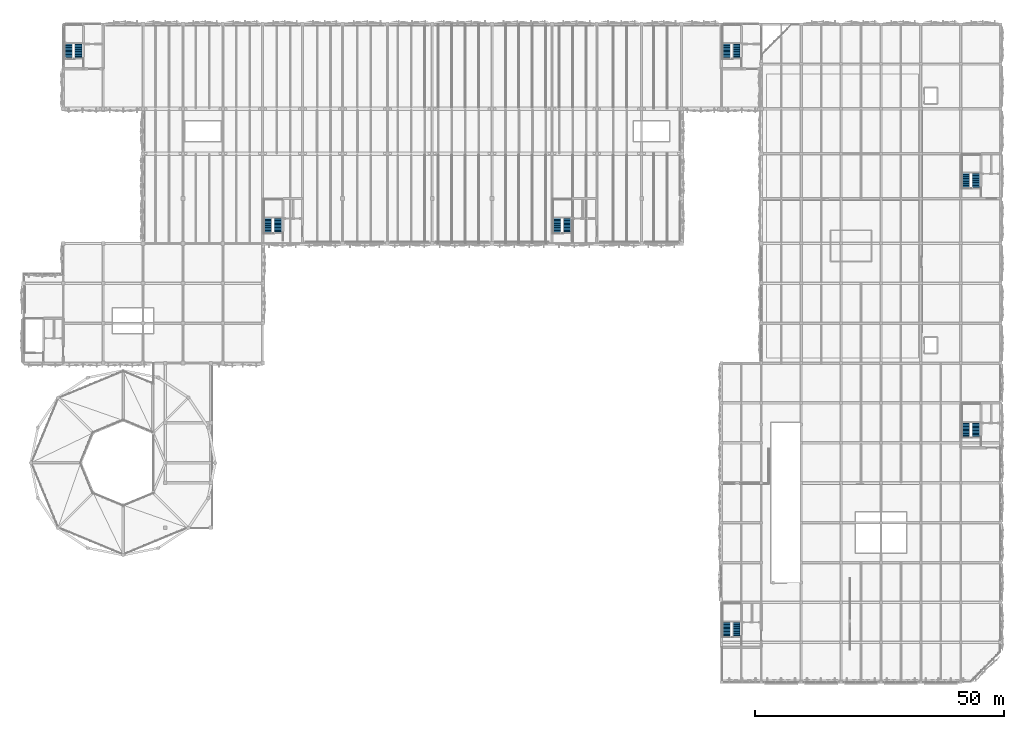
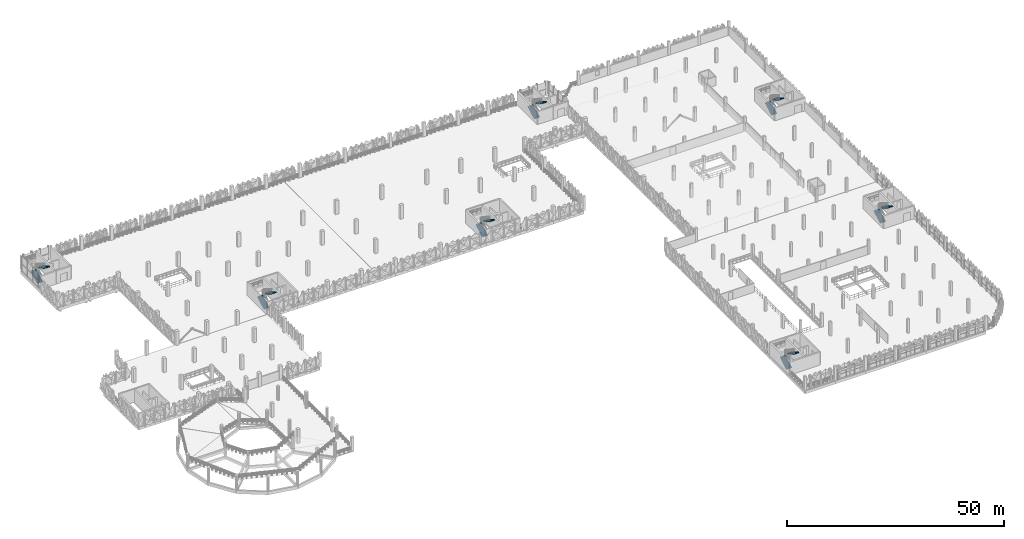
# One storey, part 46 of 83: 14 stair flights, 7 elements without a shape of their own.
"""IFC4 building model written with IfcOpenShell, lengths in metres."""

from ifc_helpers import new_model, si_unit, derived_unit, direction, frame, origin, place, context, subcontext, project, spatial, polyline, outline, extrude, material, type_object, element, aggregate, save


model = new_model("IFC4")

# Units and contexts
model_context = context("Model", 3, precision=1e-05, world=origin(), true_north=direction((0.0, 1.0)))
body_context = subcontext(model_context, "Body", "Model", "MODEL_VIEW")
ifc_project = project(units=[si_unit("LENGTHUNIT", "METRE"), si_unit("AREAUNIT", "SQUARE_METRE"), si_unit("VOLUMEUNIT", "CUBIC_METRE"), si_unit("PLANEANGLEUNIT", "RADIAN"), si_unit("MASSUNIT", "GRAM", prefix="KILO"), si_unit("THERMODYNAMICTEMPERATUREUNIT", "KELVIN"), derived_unit("THERMALTRANSMITTANCEUNIT", [(si_unit("POWERUNIT", "WATT"), 1), (si_unit("AREAUNIT", "SQUARE_METRE"), -1), (si_unit("THERMODYNAMICTEMPERATUREUNIT", "KELVIN"), -1)])], contexts=[model_context])

# Site, building, storey
site_placement = place(None, origin())
site = spatial("IfcSite", under=ifc_project, at=site_placement, CompositionType="ELEMENT")
building_placement = place(site_placement, origin())
building = spatial("IfcBuilding", under=site, at=building_placement, Name="Haiyu Intermodal Mobility Hub", CompositionType="ELEMENT")
storey_placement = place(building_placement, frame((0.0, 0.0, 13.39990234375)))
storey = spatial("IfcBuildingStorey", under=building, at=storey_placement, Name="L03", CompositionType="ELEMENT", Elevation=13.39990234375)

# Stair, stair flights
ifc_material = material(Name="Concrete C40", Category="concrete")
stair_type_1 = type_object("IfcStairType", Name="STR-ST02", PredefinedType="HALF_TURN_STAIR", material=ifc_material)
stair_1_placement = place(storey_placement, origin())
stair_1 = element("IfcStair", 1, at=stair_1_placement, inside=storey, type_object=stair_type_1, Name="Exit Stair ST01 L03", PredefinedType="HALF_TURN_STAIR")
stair_flight_type_1 = type_object("IfcStairFlightType", Name="SFL-ST02", PredefinedType="STRAIGHT", material=ifc_material)
stair_flight_1_placement = place(storey_placement, frame((63.090087890625, 106.050048828125, 0.0), z_axis=(0.0, 0.0, 1.0), x_axis=(0.0, 1.0, 0.0)))
stair_flight_1 = element("IfcStairFlight", 2, at=stair_flight_1_placement, type_object=stair_flight_type_1, Name="Stair Flight STR-C5-L03-F1", NumberOfRisers=12, NumberOfTreads=11, PredefinedType="STRAIGHT", RiserHeight=0.1625, TreadLength=0.28, context=body_context, shape_type="SweptSolid", body=[
    extrude(outline(polyline([(0.0, 0.0), (0.0, 0.16259765625), (0.280029296875, 0.16259765625), (0.280029296875, 0.324951171875), (0.56005859375, 0.324951171875), (0.56005859375, 0.487548828125), (0.840087890625, 0.487548828125), (0.840087890625, 0.64990234375), (1.1201171875, 0.64990234375), (1.1201171875, 0.8125), (1.39990234375, 0.8125), (1.39990234375, 0.97509765625), (1.679931640625, 0.97509765625), (1.679931640625, 1.137451171875), (1.9599609375, 1.137451171875), (1.9599609375, 1.300048828125), (2.239990234375, 1.300048828125), (2.239990234375, 1.46240234375), (2.52001953125, 1.46240234375), (2.52001953125, 1.625), (2.800048828125, 1.625), (2.800048828125, 1.78759765625), (3.080078125, 1.78759765625), (3.080078125, 1.949951171875), (3.080078125, 1.579345703125), (0.3583984375, 0.0), (0.0, 0.0)])), frame((0.0, 0.72998046875, 0.0), z_axis=(0.0, -1.0, 0.0), x_axis=(1.0, 0.0, 0.0)), (0.0, 0.0, 1.0), 1.4599609375),
])
stair_flight_2_placement = place(storey_placement, frame((65.0, 109.159912109375, 1.9501953125), z_axis=(0.0, 0.0, 1.0), x_axis=(0.0, -1.0, 0.0)))
stair_flight_2 = element("IfcStairFlight", 3, at=stair_flight_2_placement, type_object=stair_flight_type_1, Name="Stair Flight STR-C5-L03-F2", NumberOfRisers=12, NumberOfTreads=11, PredefinedType="STRAIGHT", RiserHeight=0.1625, TreadLength=0.28091, context=body_context, shape_type="SweptSolid", body=[
    extrude(outline(polyline([(0.0, 0.0), (0.0, 0.16259765625), (0.281005859375, 0.16259765625), (0.281005859375, 0.324951171875), (0.561767578125, 0.324951171875), (0.561767578125, 0.487548828125), (0.8427734375, 0.487548828125), (0.8427734375, 0.64990234375), (1.12353515625, 0.64990234375), (1.12353515625, 0.8125), (1.404541015625, 0.8125), (1.404541015625, 0.97509765625), (1.685546875, 0.97509765625), (1.685546875, 1.137451171875), (1.96630859375, 1.137451171875), (1.96630859375, 1.300048828125), (2.247314453125, 1.300048828125), (2.247314453125, 1.46240234375), (2.528076171875, 1.46240234375), (2.528076171875, 1.625), (2.80908203125, 1.625), (2.80908203125, 1.78759765625), (3.090087890625, 1.78759765625), (3.090087890625, 1.949951171875), (3.090087890625, 1.57958984375), (0.359375, 0.0), (0.0, 0.0)])), frame((0.0, 0.72998046875, 0.0), z_axis=(0.0, -1.0, 0.0), x_axis=(1.0, 0.0, 0.0)), (0.0, 0.0, 1.0), 1.4599609375),
])
aggregate(stair_1, [stair_flight_1, stair_flight_2])

stair_2_placement = place(storey_placement, origin())
stair_2 = element("IfcStair", 4, at=stair_2_placement, inside=storey, type_object=stair_type_1, Name="Exit Stair ST01 L03", PredefinedType="HALF_TURN_STAIR")
stair_flight_3_placement = place(storey_placement, frame((121.090087890625, 106.050048828125, 0.0), z_axis=(0.0, 0.0, 1.0), x_axis=(0.0, 1.0, 0.0)))
stair_flight_3 = element("IfcStairFlight", 5, at=stair_flight_3_placement, type_object=stair_flight_type_1, Name="Stair Flight STR-C6-L03-F1", NumberOfRisers=12, NumberOfTreads=11, PredefinedType="STRAIGHT", RiserHeight=0.1625, TreadLength=0.28, context=body_context, shape_type="SweptSolid", body=[
    extrude(outline(polyline([(0.0, 0.0), (0.0, 0.16259765625), (0.280029296875, 0.16259765625), (0.280029296875, 0.324951171875), (0.56005859375, 0.324951171875), (0.56005859375, 0.487548828125), (0.840087890625, 0.487548828125), (0.840087890625, 0.64990234375), (1.1201171875, 0.64990234375), (1.1201171875, 0.8125), (1.39990234375, 0.8125), (1.39990234375, 0.97509765625), (1.679931640625, 0.97509765625), (1.679931640625, 1.137451171875), (1.9599609375, 1.137451171875), (1.9599609375, 1.300048828125), (2.239990234375, 1.300048828125), (2.239990234375, 1.46240234375), (2.52001953125, 1.46240234375), (2.52001953125, 1.625), (2.800048828125, 1.625), (2.800048828125, 1.78759765625), (3.080078125, 1.78759765625), (3.080078125, 1.949951171875), (3.080078125, 1.579345703125), (0.3583984375, 0.0), (0.0, 0.0)])), frame((0.0, 0.72998046875, 0.0), z_axis=(0.0, -1.0, 0.0), x_axis=(1.0, 0.0, 0.0)), (0.0, 0.0, 1.0), 1.4599609375),
])
stair_flight_4_placement = place(storey_placement, frame((123.0, 109.159912109375, 1.9501953125), z_axis=(0.0, 0.0, 1.0), x_axis=(0.0, -1.0, 0.0)))
stair_flight_4 = element("IfcStairFlight", 6, at=stair_flight_4_placement, type_object=stair_flight_type_1, Name="Stair Flight STR-C6-L03-F2", NumberOfRisers=12, NumberOfTreads=11, PredefinedType="STRAIGHT", RiserHeight=0.1625, TreadLength=0.28091, context=body_context, shape_type="SweptSolid", body=[
    extrude(outline(polyline([(0.0, 0.0), (0.0, 0.16259765625), (0.281005859375, 0.16259765625), (0.281005859375, 0.324951171875), (0.561767578125, 0.324951171875), (0.561767578125, 0.487548828125), (0.8427734375, 0.487548828125), (0.8427734375, 0.64990234375), (1.12353515625, 0.64990234375), (1.12353515625, 0.8125), (1.404541015625, 0.8125), (1.404541015625, 0.97509765625), (1.685546875, 0.97509765625), (1.685546875, 1.137451171875), (1.96630859375, 1.137451171875), (1.96630859375, 1.300048828125), (2.247314453125, 1.300048828125), (2.247314453125, 1.46240234375), (2.528076171875, 1.46240234375), (2.528076171875, 1.625), (2.80908203125, 1.625), (2.80908203125, 1.78759765625), (3.090087890625, 1.78759765625), (3.090087890625, 1.949951171875), (3.090087890625, 1.57958984375), (0.359375, 0.0), (0.0, 0.0)])), frame((0.0, 0.72998046875, 0.0), z_axis=(0.0, -1.0, 0.0), x_axis=(1.0, 0.0, 0.0)), (0.0, 0.0, 1.0), 1.4599609375),
])
aggregate(stair_2, [stair_flight_3, stair_flight_4])

stair_3_placement = place(storey_placement, origin())
stair_3 = element("IfcStair", 7, at=stair_3_placement, inside=storey, type_object=stair_type_1, Name="Exit Stair ST03 L03", PredefinedType="HALF_TURN_STAIR")
stair_flight_5_placement = place(storey_placement, frame((203.090087890625, 115.050048828125, 0.0), z_axis=(0.0, 0.0, 1.0), x_axis=(0.0, 1.0, 0.0)))
stair_flight_5 = element("IfcStairFlight", 8, at=stair_flight_5_placement, type_object=stair_flight_type_1, Name="Stair Flight STR-C10-L03-F1", NumberOfRisers=12, NumberOfTreads=11, PredefinedType="STRAIGHT", RiserHeight=0.1625, TreadLength=0.28, context=body_context, shape_type="SweptSolid", body=[
    extrude(outline(polyline([(0.0, 0.0), (0.0, 0.16259765625), (0.280029296875, 0.16259765625), (0.280029296875, 0.324951171875), (0.56005859375, 0.324951171875), (0.56005859375, 0.487548828125), (0.840087890625, 0.487548828125), (0.840087890625, 0.64990234375), (1.1201171875, 0.64990234375), (1.1201171875, 0.8125), (1.39990234375, 0.8125), (1.39990234375, 0.97509765625), (1.679931640625, 0.97509765625), (1.679931640625, 1.137451171875), (1.9599609375, 1.137451171875), (1.9599609375, 1.300048828125), (2.239990234375, 1.300048828125), (2.239990234375, 1.46240234375), (2.52001953125, 1.46240234375), (2.52001953125, 1.625), (2.800048828125, 1.625), (2.800048828125, 1.78759765625), (3.080078125, 1.78759765625), (3.080078125, 1.949951171875), (3.080078125, 1.579345703125), (0.3583984375, 0.0), (0.0, 0.0)])), frame((0.0, 0.72998046875, 0.0), z_axis=(0.0, -1.0, 0.0), x_axis=(1.0, 0.0, 0.0)), (0.0, 0.0, 1.0), 1.4599609375),
])
stair_flight_6_placement = place(storey_placement, frame((205.0, 118.159912109375, 1.9501953125), z_axis=(0.0, 0.0, 1.0), x_axis=(0.0, -1.0, 0.0)))
stair_flight_6 = element("IfcStairFlight", 9, at=stair_flight_6_placement, type_object=stair_flight_type_1, Name="Stair Flight STR-C10-L03-F2", NumberOfRisers=12, NumberOfTreads=11, PredefinedType="STRAIGHT", RiserHeight=0.1625, TreadLength=0.28091, context=body_context, shape_type="SweptSolid", body=[
    extrude(outline(polyline([(0.0, 0.0), (0.0, 0.16259765625), (0.281005859375, 0.16259765625), (0.281005859375, 0.324951171875), (0.561767578125, 0.324951171875), (0.561767578125, 0.487548828125), (0.8427734375, 0.487548828125), (0.8427734375, 0.64990234375), (1.12353515625, 0.64990234375), (1.12353515625, 0.8125), (1.404541015625, 0.8125), (1.404541015625, 0.97509765625), (1.685546875, 0.97509765625), (1.685546875, 1.137451171875), (1.96630859375, 1.137451171875), (1.96630859375, 1.300048828125), (2.247314453125, 1.300048828125), (2.247314453125, 1.46240234375), (2.528076171875, 1.46240234375), (2.528076171875, 1.625), (2.80908203125, 1.625), (2.80908203125, 1.78759765625), (3.090087890625, 1.78759765625), (3.090087890625, 1.949951171875), (3.090087890625, 1.57958984375), (0.359375, 0.0), (0.0, 0.0)])), frame((0.0, 0.72998046875, 0.0), z_axis=(0.0, -1.0, 0.0), x_axis=(1.0, 0.0, 0.0)), (0.0, 0.0, 1.0), 1.4599609375),
])
aggregate(stair_3, [stair_flight_5, stair_flight_6])

stair_type_2 = type_object("IfcStairType", Name="STR-ST03", PredefinedType="HALF_TURN_STAIR", material=ifc_material)
stair_4_placement = place(storey_placement, origin())
stair_4 = element("IfcStair", 10, at=stair_4_placement, inside=storey, type_object=stair_type_2, Name="Exit Stair ST02 L03", PredefinedType="HALF_TURN_STAIR")
stair_flight_type_2 = type_object("IfcStairFlightType", Name="SFL-ST03", PredefinedType="STRAIGHT", material=ifc_material)
stair_flight_7_placement = place(storey_placement, frame((23.090087890625, 141.050048828125, 0.0), z_axis=(0.0, 0.0, 1.0), x_axis=(0.0, 1.0, 0.0)))
stair_flight_7 = element("IfcStairFlight", 11, at=stair_flight_7_placement, type_object=stair_flight_type_2, Name="Stair Flight STR-C3-L03-F1", NumberOfRisers=12, NumberOfTreads=11, PredefinedType="STRAIGHT", RiserHeight=0.1625, TreadLength=0.28, context=body_context, shape_type="SweptSolid", body=[
    extrude(outline(polyline([(0.0, 0.0), (0.0, 0.16259765625), (0.280029296875, 0.16259765625), (0.280029296875, 0.324951171875), (0.56005859375, 0.324951171875), (0.56005859375, 0.487548828125), (0.840087890625, 0.487548828125), (0.840087890625, 0.64990234375), (1.1201171875, 0.64990234375), (1.1201171875, 0.8125), (1.39990234375, 0.8125), (1.39990234375, 0.97509765625), (1.679931640625, 0.97509765625), (1.679931640625, 1.137451171875), (1.9599609375, 1.137451171875), (1.9599609375, 1.300048828125), (2.239990234375, 1.300048828125), (2.239990234375, 1.46240234375), (2.52001953125, 1.46240234375), (2.52001953125, 1.625), (2.800048828125, 1.625), (2.800048828125, 1.78759765625), (3.080078125, 1.78759765625), (3.080078125, 1.949951171875), (3.080078125, 1.579345703125), (0.3583984375, 0.0), (0.0, 0.0)])), frame((0.0, 0.72998046875, 0.0), z_axis=(0.0, -1.0, 0.0), x_axis=(1.0, 0.0, 0.0)), (0.0, 0.0, 1.0), 1.4599609375),
])
stair_flight_8_placement = place(storey_placement, frame((25.0, 144.159912109375, 1.9501953125), z_axis=(0.0, 0.0, 1.0), x_axis=(0.0, -1.0, 0.0)))
stair_flight_8 = element("IfcStairFlight", 12, at=stair_flight_8_placement, type_object=stair_flight_type_2, Name="Stair Flight STR-C3-L03-F2", NumberOfRisers=12, NumberOfTreads=11, PredefinedType="STRAIGHT", RiserHeight=0.1625, TreadLength=0.28091, context=body_context, shape_type="SweptSolid", body=[
    extrude(outline(polyline([(0.0, 0.0), (0.0, 0.16259765625), (0.281005859375, 0.16259765625), (0.281005859375, 0.324951171875), (0.561767578125, 0.324951171875), (0.561767578125, 0.487548828125), (0.8427734375, 0.487548828125), (0.8427734375, 0.64990234375), (1.12353515625, 0.64990234375), (1.12353515625, 0.8125), (1.404541015625, 0.8125), (1.404541015625, 0.97509765625), (1.685546875, 0.97509765625), (1.685546875, 1.137451171875), (1.96630859375, 1.137451171875), (1.96630859375, 1.300048828125), (2.247314453125, 1.300048828125), (2.247314453125, 1.46240234375), (2.528076171875, 1.46240234375), (2.528076171875, 1.625), (2.80908203125, 1.625), (2.80908203125, 1.78759765625), (3.090087890625, 1.78759765625), (3.090087890625, 1.949951171875), (3.090087890625, 1.57958984375), (0.359375, 0.0), (0.0, 0.0)])), frame((0.0, 0.72998046875, 0.0), z_axis=(0.0, -1.0, 0.0), x_axis=(1.0, 0.0, 0.0)), (0.0, 0.0, 1.0), 1.4599609375),
])
aggregate(stair_4, [stair_flight_7, stair_flight_8])

stair_5_placement = place(storey_placement, origin())
stair_5 = element("IfcStair", 13, at=stair_5_placement, inside=storey, type_object=stair_type_2, Name="Exit Stair ST02 L03", PredefinedType="HALF_TURN_STAIR")
stair_flight_9_placement = place(storey_placement, frame((155.090087890625, 141.050048828125, 0.0), z_axis=(0.0, 0.0, 1.0), x_axis=(0.0, 1.0, 0.0)))
stair_flight_9 = element("IfcStairFlight", 14, at=stair_flight_9_placement, type_object=stair_flight_type_2, Name="Stair Flight STR-C4-L03-F1", NumberOfRisers=12, NumberOfTreads=11, PredefinedType="STRAIGHT", RiserHeight=0.1625, TreadLength=0.28, context=body_context, shape_type="SweptSolid", body=[
    extrude(outline(polyline([(0.0, 0.0), (0.0, 0.16259765625), (0.280029296875, 0.16259765625), (0.280029296875, 0.324951171875), (0.56005859375, 0.324951171875), (0.56005859375, 0.487548828125), (0.840087890625, 0.487548828125), (0.840087890625, 0.64990234375), (1.1201171875, 0.64990234375), (1.1201171875, 0.8125), (1.39990234375, 0.8125), (1.39990234375, 0.97509765625), (1.679931640625, 0.97509765625), (1.679931640625, 1.137451171875), (1.9599609375, 1.137451171875), (1.9599609375, 1.300048828125), (2.239990234375, 1.300048828125), (2.239990234375, 1.46240234375), (2.52001953125, 1.46240234375), (2.52001953125, 1.625), (2.800048828125, 1.625), (2.800048828125, 1.78759765625), (3.080078125, 1.78759765625), (3.080078125, 1.949951171875), (3.080078125, 1.579345703125), (0.3583984375, 0.0), (0.0, 0.0)])), frame((0.0, 0.72998046875, 0.0), z_axis=(0.0, -1.0, 0.0), x_axis=(1.0, 0.0, 0.0)), (0.0, 0.0, 1.0), 1.4599609375),
])
stair_flight_10_placement = place(storey_placement, frame((157.0, 144.159912109375, 1.9501953125), z_axis=(0.0, 0.0, 1.0), x_axis=(0.0, -1.0, 0.0)))
stair_flight_10 = element("IfcStairFlight", 15, at=stair_flight_10_placement, type_object=stair_flight_type_2, Name="Stair Flight STR-C4-L03-F2", NumberOfRisers=12, NumberOfTreads=11, PredefinedType="STRAIGHT", RiserHeight=0.1625, TreadLength=0.28091, context=body_context, shape_type="SweptSolid", body=[
    extrude(outline(polyline([(0.0, 0.0), (0.0, 0.16259765625), (0.281005859375, 0.16259765625), (0.281005859375, 0.324951171875), (0.561767578125, 0.324951171875), (0.561767578125, 0.487548828125), (0.8427734375, 0.487548828125), (0.8427734375, 0.64990234375), (1.12353515625, 0.64990234375), (1.12353515625, 0.8125), (1.404541015625, 0.8125), (1.404541015625, 0.97509765625), (1.685546875, 0.97509765625), (1.685546875, 1.137451171875), (1.96630859375, 1.137451171875), (1.96630859375, 1.300048828125), (2.247314453125, 1.300048828125), (2.247314453125, 1.46240234375), (2.528076171875, 1.46240234375), (2.528076171875, 1.625), (2.80908203125, 1.625), (2.80908203125, 1.78759765625), (3.090087890625, 1.78759765625), (3.090087890625, 1.949951171875), (3.090087890625, 1.57958984375), (0.359375, 0.0), (0.0, 0.0)])), frame((0.0, 0.72998046875, 0.0), z_axis=(0.0, -1.0, 0.0), x_axis=(1.0, 0.0, 0.0)), (0.0, 0.0, 1.0), 1.4599609375),
])
aggregate(stair_5, [stair_flight_9, stair_flight_10])

stair_6_placement = place(storey_placement, origin())
stair_6 = element("IfcStair", 16, at=stair_6_placement, inside=storey, type_object=stair_type_2, Name="Exit Stair ST02 L03", PredefinedType="HALF_TURN_STAIR")
stair_flight_11_placement = place(storey_placement, frame((155.090087890625, 25.050048828125, 0.0), z_axis=(0.0, 0.0, 1.0), x_axis=(0.0, 1.0, 0.0)))
stair_flight_11 = element("IfcStairFlight", 17, at=stair_flight_11_placement, type_object=stair_flight_type_2, Name="Stair Flight STR-C8-L03-F1", NumberOfRisers=12, NumberOfTreads=11, PredefinedType="STRAIGHT", RiserHeight=0.1625, TreadLength=0.28, context=body_context, shape_type="SweptSolid", body=[
    extrude(outline(polyline([(0.0, 0.0), (0.0, 0.16259765625), (0.280029296875, 0.16259765625), (0.280029296875, 0.324951171875), (0.56005859375, 0.324951171875), (0.56005859375, 0.487548828125), (0.840087890625, 0.487548828125), (0.840087890625, 0.64990234375), (1.1201171875, 0.64990234375), (1.1201171875, 0.8125), (1.39990234375, 0.8125), (1.39990234375, 0.97509765625), (1.679931640625, 0.97509765625), (1.679931640625, 1.137451171875), (1.9599609375, 1.137451171875), (1.9599609375, 1.300048828125), (2.239990234375, 1.300048828125), (2.239990234375, 1.46240234375), (2.52001953125, 1.46240234375), (2.52001953125, 1.625), (2.800048828125, 1.625), (2.800048828125, 1.78759765625), (3.080078125, 1.78759765625), (3.080078125, 1.949951171875), (3.080078125, 1.579345703125), (0.3583984375, 0.0), (0.0, 0.0)])), frame((0.0, 0.72998046875, 0.0), z_axis=(0.0, -1.0, 0.0), x_axis=(1.0, 0.0, 0.0)), (0.0, 0.0, 1.0), 1.4599609375),
])
stair_flight_12_placement = place(storey_placement, frame((157.0, 28.159912109375, 1.9501953125), z_axis=(0.0, 0.0, 1.0), x_axis=(0.0, -1.0, 0.0)))
stair_flight_12 = element("IfcStairFlight", 18, at=stair_flight_12_placement, type_object=stair_flight_type_2, Name="Stair Flight STR-C8-L03-F2", NumberOfRisers=12, NumberOfTreads=11, PredefinedType="STRAIGHT", RiserHeight=0.1625, TreadLength=0.28091, context=body_context, shape_type="SweptSolid", body=[
    extrude(outline(polyline([(0.0, 0.0), (0.0, 0.16259765625), (0.281005859375, 0.16259765625), (0.281005859375, 0.324951171875), (0.561767578125, 0.324951171875), (0.561767578125, 0.487548828125), (0.8427734375, 0.487548828125), (0.8427734375, 0.64990234375), (1.12353515625, 0.64990234375), (1.12353515625, 0.8125), (1.404541015625, 0.8125), (1.404541015625, 0.97509765625), (1.685546875, 0.97509765625), (1.685546875, 1.137451171875), (1.96630859375, 1.137451171875), (1.96630859375, 1.300048828125), (2.247314453125, 1.300048828125), (2.247314453125, 1.46240234375), (2.528076171875, 1.46240234375), (2.528076171875, 1.625), (2.80908203125, 1.625), (2.80908203125, 1.78759765625), (3.090087890625, 1.78759765625), (3.090087890625, 1.949951171875), (3.090087890625, 1.57958984375), (0.359375, 0.0), (0.0, 0.0)])), frame((0.0, 0.72998046875, 0.0), z_axis=(0.0, -1.0, 0.0), x_axis=(1.0, 0.0, 0.0)), (0.0, 0.0, 1.0), 1.4599609375),
])
aggregate(stair_6, [stair_flight_11, stair_flight_12])

stair_type_3 = type_object("IfcStairType", Name="STR-ST05", PredefinedType="HALF_TURN_STAIR", material=ifc_material)
stair_7_placement = place(storey_placement, origin())
stair_7 = element("IfcStair", 19, at=stair_7_placement, inside=storey, type_object=stair_type_3, Name="Exit Stair ST03 L03", PredefinedType="HALF_TURN_STAIR")
stair_flight_type_3 = type_object("IfcStairFlightType", Name="SFL-ST05", PredefinedType="STRAIGHT", material=ifc_material)
stair_flight_13_placement = place(storey_placement, frame((203.090087890625, 65.050048828125, 0.0), z_axis=(0.0, 0.0, 1.0), x_axis=(0.0, 1.0, 0.0)))
stair_flight_13 = element("IfcStairFlight", 20, at=stair_flight_13_placement, type_object=stair_flight_type_3, Name="Stair Flight STR-C9-L03-F1", NumberOfRisers=12, NumberOfTreads=11, PredefinedType="STRAIGHT", RiserHeight=0.1625, TreadLength=0.28, context=body_context, shape_type="SweptSolid", body=[
    extrude(outline(polyline([(0.0, 0.0), (0.0, 0.16259765625), (0.280029296875, 0.16259765625), (0.280029296875, 0.324951171875), (0.56005859375, 0.324951171875), (0.56005859375, 0.487548828125), (0.840087890625, 0.487548828125), (0.840087890625, 0.64990234375), (1.1201171875, 0.64990234375), (1.1201171875, 0.8125), (1.39990234375, 0.8125), (1.39990234375, 0.97509765625), (1.679931640625, 0.97509765625), (1.679931640625, 1.137451171875), (1.9599609375, 1.137451171875), (1.9599609375, 1.300048828125), (2.239990234375, 1.300048828125), (2.239990234375, 1.46240234375), (2.52001953125, 1.46240234375), (2.52001953125, 1.625), (2.800048828125, 1.625), (2.800048828125, 1.78759765625), (3.080078125, 1.78759765625), (3.080078125, 1.949951171875), (3.080078125, 1.579345703125), (0.3583984375, 0.0), (0.0, 0.0)])), frame((0.0, 0.72998046875, 0.0), z_axis=(0.0, -1.0, 0.0), x_axis=(1.0, 0.0, 0.0)), (0.0, 0.0, 1.0), 1.4599609375),
])
stair_flight_14_placement = place(storey_placement, frame((205.0, 68.159912109375, 1.9501953125), z_axis=(0.0, 0.0, 1.0), x_axis=(0.0, -1.0, 0.0)))
stair_flight_14 = element("IfcStairFlight", 21, at=stair_flight_14_placement, type_object=stair_flight_type_3, Name="Stair Flight STR-C9-L03-F2", NumberOfRisers=12, NumberOfTreads=11, PredefinedType="STRAIGHT", RiserHeight=0.1625, TreadLength=0.28091, context=body_context, shape_type="SweptSolid", body=[
    extrude(outline(polyline([(0.0, 0.0), (0.0, 0.16259765625), (0.281005859375, 0.16259765625), (0.281005859375, 0.324951171875), (0.561767578125, 0.324951171875), (0.561767578125, 0.487548828125), (0.8427734375, 0.487548828125), (0.8427734375, 0.64990234375), (1.12353515625, 0.64990234375), (1.12353515625, 0.8125), (1.404541015625, 0.8125), (1.404541015625, 0.97509765625), (1.685546875, 0.97509765625), (1.685546875, 1.137451171875), (1.96630859375, 1.137451171875), (1.96630859375, 1.300048828125), (2.247314453125, 1.300048828125), (2.247314453125, 1.46240234375), (2.528076171875, 1.46240234375), (2.528076171875, 1.625), (2.80908203125, 1.625), (2.80908203125, 1.78759765625), (3.090087890625, 1.78759765625), (3.090087890625, 1.949951171875), (3.090087890625, 1.57958984375), (0.359375, 0.0), (0.0, 0.0)])), frame((0.0, 0.72998046875, 0.0), z_axis=(0.0, -1.0, 0.0), x_axis=(1.0, 0.0, 0.0)), (0.0, 0.0, 1.0), 1.4599609375),
])
aggregate(stair_7, [stair_flight_13, stair_flight_14])

save(model, "model.ifc")
